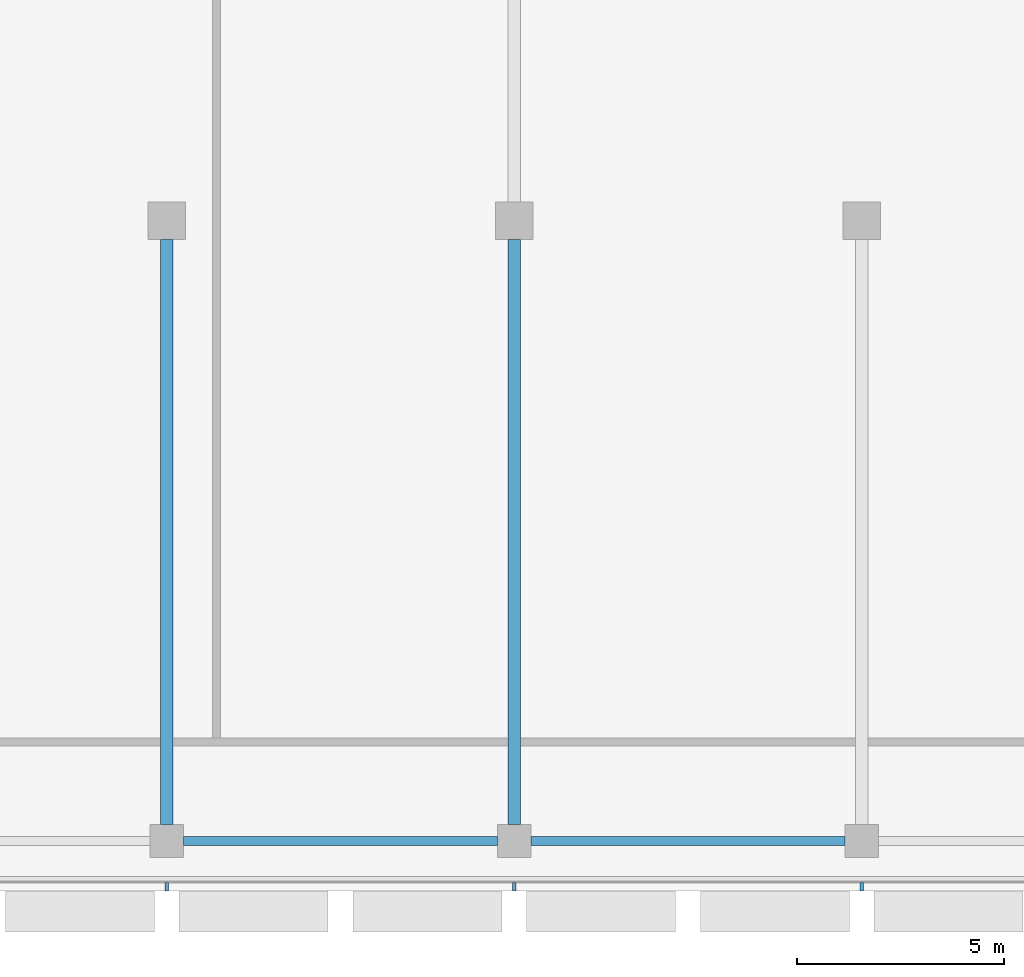
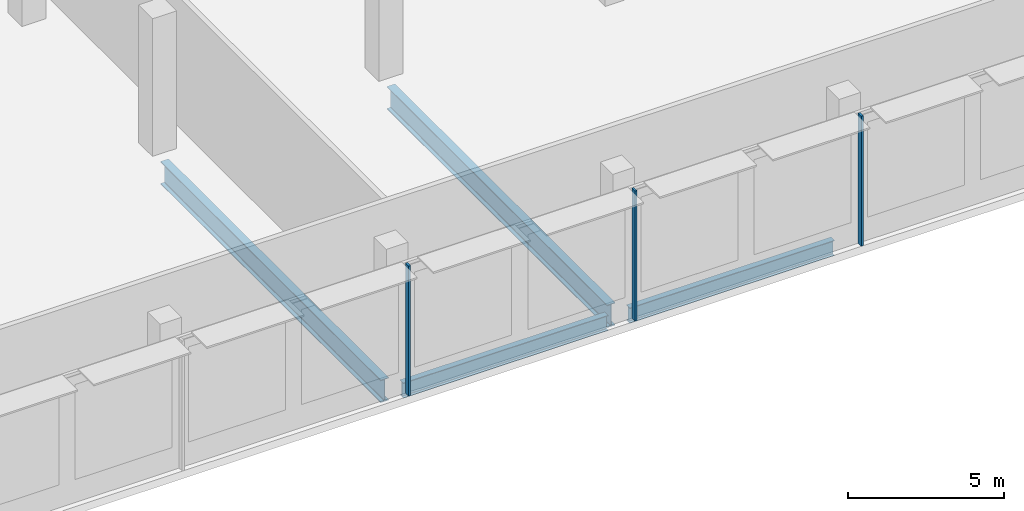
# One storey, part 4 of 39: 4 beams, 3 members, 1 element without a shape of its own.
"""IFC4 building model written with IfcOpenShell, lengths in metres."""

from ifc_helpers import new_model, si_unit, direction, frame, origin, origin_2d, place, context, subcontext, project, spatial, rectangle, i_section, extrude, material, material_profile, profile_set, type_object, element, aggregate, save


model = new_model("IFC4")

# Units and contexts
model_context = context("Model", 3, precision=1e-05, world=origin(), true_north=direction((0.0, 1.0)))
body_context = subcontext(model_context, "Body", "Model", "MODEL_VIEW")
ifc_project = project(units=[si_unit("LENGTHUNIT", "METRE"), si_unit("AREAUNIT", "SQUARE_METRE"), si_unit("VOLUMEUNIT", "CUBIC_METRE"), si_unit("PLANEANGLEUNIT", "RADIAN"), si_unit("MASSUNIT", "GRAM", prefix="KILO")], contexts=[model_context])

# Site, building, storey
site_placement = place(None, origin())
site = spatial("IfcSite", under=ifc_project, at=site_placement, CompositionType="ELEMENT")
building_placement = place(site_placement, origin())
building = spatial("IfcBuilding", under=site, at=building_placement, Name="Saffron Gate Tower", CompositionType="ELEMENT")
storey_placement = place(building_placement, frame((0.0, 0.0, 9.0)))
storey = spatial("IfcBuildingStorey", under=building, at=storey_placement, Name="L01", CompositionType="ELEMENT", Elevation=9.0)

# Beams
ifc_material_1 = material(Name="Structural steel S355", Category="steel")
ifc_material_profile_1 = material_profile(ifc_material_1, i_section(OverallWidth=0.219970703125, OverallDepth=0.60009765625, WebThickness=0.011962890625, FlangeThickness=0.01904296875, FilletRadius=0.02392578125, at=origin_2d()))
ifc_profile_set_1 = profile_set([ifc_material_profile_1], Name="Structural steel S355")
beam_type_1 = type_object("IfcBeamType", Name="B15 IPE 600", PredefinedType="BEAM", material=ifc_profile_set_1)
for number, where, z_axis, x_axis, name in (
    (1, (67.0, 16.800048828125, -0.60009765625), (1.0, 0.0, 0.0), (0.0, 1.0, 0.0), "B15 PODIUM EDGE BEAM"),
    (2, (75.39990234375, 16.800048828125, -0.60009765625), (1.0, 0.0, 0.0), (0.0, 1.0, 0.0), "B15 PODIUM EDGE BEAM"),
):
    element("IfcBeam", number, at=place(storey_placement, frame(where, z_axis=z_axis, x_axis=x_axis)), inside=storey, type_object=beam_type_1, Name=name, PredefinedType="BEAM", context=body_context, shape_type="SweptSolid", body=[
        extrude(i_section(OverallWidth=0.219970703125, OverallDepth=0.60009765625, WebThickness=0.011962890625, FlangeThickness=0.01904296875, FilletRadius=0.02392578125, at=origin_2d()), origin(), (0.0, 0.0, 1.0), 7.60009765625),
    ])
ifc_material_profile_2 = material_profile(ifc_material_1, i_section(OverallWidth=0.300048828125, OverallDepth=0.889892578125, WebThickness=0.01611328125, FlangeThickness=0.030029296875, FilletRadius=0.030029296875, at=origin_2d()))
ifc_profile_set_2 = profile_set([ifc_material_profile_2], Name="Structural steel S355")
beam_type_2 = type_object("IfcBeamType", Name="B19 HEA 900", PredefinedType="BEAM", material=ifc_profile_set_2)
for number, where, z_axis, x_axis, name in (
    (3, (66.60009765625, 17.199951171875, -0.7451171875), (0.0, 1.0, 0.0), (-1.0, 0.0, 0.0), "B19 PODIUM RING GIRDER"),
    (4, (75.0, 17.199951171875, -0.7451171875), (0.0, 1.0, 0.0), (-1.0, 0.0, 0.0), "B19 PODIUM RING GIRDER"),
):
    element("IfcBeam", number, at=place(storey_placement, frame(where, z_axis=z_axis, x_axis=x_axis)), inside=storey, type_object=beam_type_2, Name=name, PredefinedType="BEAM", context=body_context, shape_type="SweptSolid", body=[
        extrude(i_section(OverallWidth=0.300048828125, OverallDepth=0.889892578125, WebThickness=0.01611328125, FlangeThickness=0.030029296875, FilletRadius=0.030029296875, at=origin_2d()), origin(), (0.0, 0.0, 1.0), 14.150146484375),
    ])

# Curtain wall, members
ifc_material_2 = material(Name="Aluminium, bronze anodised", Category="aluminium")
curtain_wall_type = type_object("IfcCurtainWallType", Name="CWS5 curtain wall podium ring base", PredefinedType="NOTDEFINED", material=ifc_material_2)
curtain_wall_placement = place(storey_placement, origin())
curtain_wall = element("IfcCurtainWall", 5, at=curtain_wall_placement, inside=storey, type_object=curtain_wall_type, Name="CWS5 run 1", PredefinedType="NOTDEFINED")
ifc_material_profile_3 = material_profile(ifc_material_2, rectangle(XDim=0.199951171875, YDim=0.080078125, at=origin_2d()))
ifc_profile_set_3 = profile_set([ifc_material_profile_3], Name="Aluminium, bronze anodised")
member_type = type_object("IfcMemberType", Name="CWS5 mullion 80x200", PredefinedType="MULLION", material=ifc_profile_set_3)
member_1_placement = place(storey_placement, frame((66.60009765625, 15.699951171875, 0.0), z_axis=(0.0, 0.0, 1.0), x_axis=(0.0, 1.0, 0.0)))
member_1 = element("IfcMember", 6, at=member_1_placement, type_object=member_type, Name="CWS5 mullion 6", PredefinedType="MULLION", context=body_context, shape_type="SweptSolid", body=[
    extrude(rectangle(XDim=0.199951171875, YDim=0.080078125, at=origin_2d()), origin(), (0.0, 0.0, 1.0), 5.10009765625),
])
member_2_placement = place(storey_placement, frame((75.0, 15.699951171875, 0.0), z_axis=(0.0, 0.0, 1.0), x_axis=(0.0, 1.0, 0.0)))
member_2 = element("IfcMember", 7, at=member_2_placement, type_object=member_type, Name="CWS5 mullion 7", PredefinedType="MULLION", context=body_context, shape_type="SweptSolid", body=[
    extrude(rectangle(XDim=0.199951171875, YDim=0.080078125, at=origin_2d()), origin(), (0.0, 0.0, 1.0), 5.10009765625),
])
member_3_placement = place(storey_placement, frame((83.39990234375, 15.699951171875, 0.0), z_axis=(0.0, 0.0, 1.0), x_axis=(0.0, 1.0, 0.0)))
member_3 = element("IfcMember", 8, at=member_3_placement, type_object=member_type, Name="CWS5 mullion 8", PredefinedType="MULLION", context=body_context, shape_type="SweptSolid", body=[
    extrude(rectangle(XDim=0.199951171875, YDim=0.080078125, at=origin_2d()), origin(), (0.0, 0.0, 1.0), 5.10009765625),
])
aggregate(curtain_wall, [member_1, member_2, member_3])

save(model, "model.ifc")
